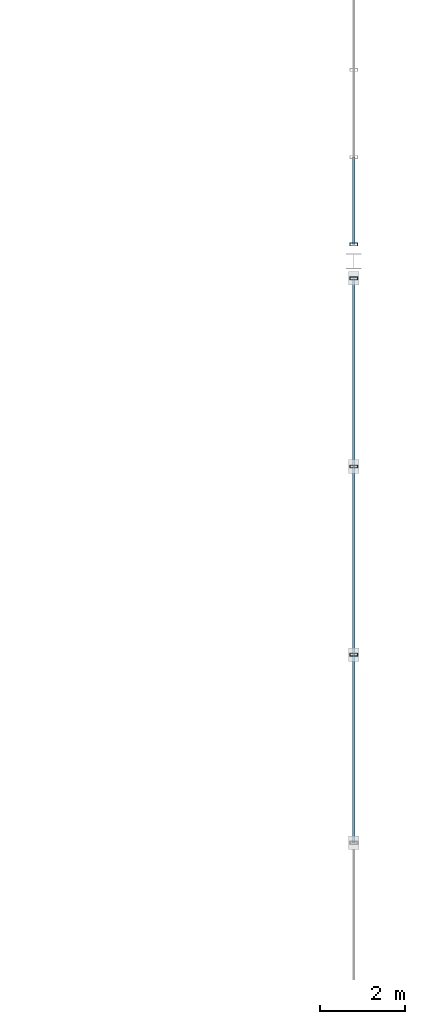
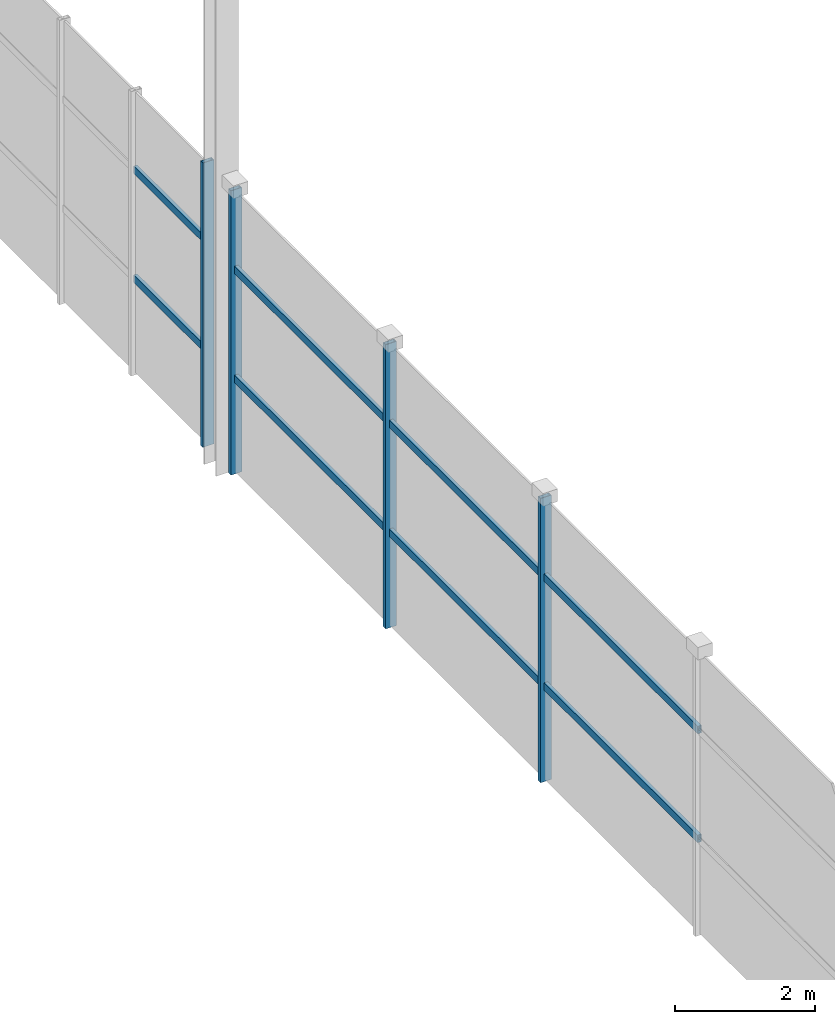
# One storey, part 98 of 148: 12 members, 2 elements without a shape of their own.
"""IFC4 building model written with IfcOpenShell, lengths in metres."""

from ifc_helpers import new_model, si_unit, direction, frame, origin, origin_2d, place, context, subcontext, project, spatial, hollow_rectangle, extrude, material, material_profile, profile_set, type_object, element, aggregate, save


model = new_model("IFC4")

# Units and contexts
model_context = context("Model", 3, precision=1e-05, world=origin(), true_north=direction((0.0, 1.0)))
body_context = subcontext(model_context, "Body", "Model", "MODEL_VIEW")
ifc_project = project(units=[si_unit("LENGTHUNIT", "METRE"), si_unit("AREAUNIT", "SQUARE_METRE"), si_unit("VOLUMEUNIT", "CUBIC_METRE"), si_unit("PLANEANGLEUNIT", "RADIAN"), si_unit("MASSUNIT", "GRAM", prefix="KILO")], contexts=[model_context])

# Site, building, storey
site_placement = place(None, origin())
site = spatial("IfcSite", under=ifc_project, at=site_placement, CompositionType="ELEMENT")
building_placement = place(site_placement, origin())
building = spatial("IfcBuilding", under=site, at=building_placement, Name="Ologun Quay Terminus", CompositionType="ELEMENT")
storey_placement = place(building_placement, frame((0.0, 0.0, 8.39990234375)))
storey = spatial("IfcBuildingStorey", under=building, at=storey_placement, Name="L02", CompositionType="ELEMENT", Elevation=8.39990234375)

# Curtain wall, members
ifc_material_1 = material(Name="Aluminium 6063-T6", Category="aluminium")
curtain_wall_type_1 = type_object("IfcCurtainWallType", Name="Train Shed Gable Center Screen 17500x4900", PredefinedType="USERDEFINED", material=ifc_material_1)
curtain_wall_1_placement = place(storey_placement, origin())
curtain_wall_1 = element("IfcCurtainWall", 1, at=curtain_wall_1_placement, inside=storey, type_object=curtain_wall_type_1, Name="CW-11 Curtain Wall CW-GBL-E2", ObjectType="UNITISED CURTAIN WALL", PredefinedType="USERDEFINED")
ifc_material_2 = material(Name="Aluminium 6063-T6", Category="aluminium")
ifc_material_profile_1 = material_profile(ifc_material_2, hollow_rectangle(XDim=0.070068359375, YDim=0.179931640625, WallThickness=0.0048828125, at=origin_2d()), Name="ALU 180x70x5")
ifc_profile_set_1 = profile_set([ifc_material_profile_1], Name="Aluminium 6063-T6")
member_type_1 = type_object("IfcMemberType", Name="Concourse Clerestory Mullion 180x70", PredefinedType="MULLION", material=ifc_profile_set_1)
member_1_placement = place(storey_placement, frame((184.0, 59.75, 0.14013671875), z_axis=(0.0, 0.0, 1.0), x_axis=(0.0, 1.0, 0.0)))
member_1 = element("IfcMember", 2, at=member_1_placement, type_object=member_type_1, Name="CW-GBL-E2 Mullion 3", PredefinedType="MULLION", context=body_context, shape_type="SweptSolid", body=[
    extrude(hollow_rectangle(XDim=0.070068359375, YDim=0.179931640625, WallThickness=0.0048828125, at=origin_2d()), origin(), (0.0, 0.0, 1.0), 4.9599609375),
])
member_2_placement = place(storey_placement, frame((184.0, 64.175048828125, 0.14013671875), z_axis=(0.0, 0.0, 1.0), x_axis=(0.0, 1.0, 0.0)))
member_2 = element("IfcMember", 3, at=member_2_placement, type_object=member_type_1, Name="CW-GBL-E2 Mullion 4", PredefinedType="MULLION", context=body_context, shape_type="SweptSolid", body=[
    extrude(hollow_rectangle(XDim=0.070068359375, YDim=0.179931640625, WallThickness=0.0048828125, at=origin_2d()), origin(), (0.0, 0.0, 1.0), 4.9599609375),
])
member_3_placement = place(storey_placement, frame((184.0, 68.60009765625, 0.14013671875), z_axis=(0.0, 0.0, 1.0), x_axis=(0.0, 1.0, 0.0)))
member_3 = element("IfcMember", 4, at=member_3_placement, type_object=member_type_1, Name="CW-GBL-E2 Mullion 5", PredefinedType="MULLION", context=body_context, shape_type="SweptSolid", body=[
    extrude(hollow_rectangle(XDim=0.070068359375, YDim=0.179931640625, WallThickness=0.0048828125, at=origin_2d()), origin(), (0.0, 0.0, 1.0), 4.9599609375),
])

# Curtain wall, member
ifc_material_3 = material(Name="Aluminium 6063-T6", Category="aluminium")
curtain_wall_type_2 = type_object("IfcCurtainWallType", Name="Train Shed Gable Arch Screen 13500x4900", PredefinedType="USERDEFINED", material=ifc_material_3)
curtain_wall_2_placement = place(storey_placement, origin())
curtain_wall_2 = element("IfcCurtainWall", 5, at=curtain_wall_2_placement, inside=storey, type_object=curtain_wall_type_2, Name="CW-10 Curtain Wall CW-GBL-E3", ObjectType="UNITISED CURTAIN WALL", PredefinedType="USERDEFINED")
member_4_placement = place(storey_placement, frame((184.0, 69.39990234375, 0.14013671875), z_axis=(0.0, 0.0, 1.0), x_axis=(0.0, 1.0, 0.0)))
member_4 = element("IfcMember", 6, at=member_4_placement, type_object=member_type_1, Name="CW-GBL-E3 Mullion 1", PredefinedType="MULLION", context=body_context, shape_type="SweptSolid", body=[
    extrude(hollow_rectangle(XDim=0.070068359375, YDim=0.179931640625, WallThickness=0.0048828125, at=origin_2d()), origin(), (0.0, 0.0, 1.0), 4.9599609375),
])

# Member
ifc_material_4 = material(Name="Aluminium 6063-T6", Category="aluminium")
ifc_material_profile_2 = material_profile(ifc_material_4, hollow_rectangle(XDim=0.06005859375, YDim=0.1298828125, WallThickness=0.00390625, at=origin_2d()), Name="ALU 130x60x4")
ifc_profile_set_2 = profile_set([ifc_material_profile_2], Name="Aluminium 6063-T6")
member_type_2 = type_object("IfcMemberType", Name="Concourse Clerestory Transom 130x60", PredefinedType="USERDEFINED", material=ifc_profile_set_2)
member_5_placement = place(storey_placement, frame((184.0, 55.324951171875, 1.800048828125), z_axis=(0.0, 1.0, 0.0), x_axis=(-1.0, 0.0, 0.0)))
member_5 = element("IfcMember", 7, at=member_5_placement, type_object=member_type_2, Name="CW-GBL-E2 Transom B2-1", ObjectType="TRANSOM", PredefinedType="USERDEFINED", context=body_context, shape_type="SweptSolid", body=[
    extrude(hollow_rectangle(XDim=0.06005859375, YDim=0.1298828125, WallThickness=0.00390625, at=origin_2d()), origin(), (0.0, 0.0, 1.0), 4.425048828125),
])

member_6_placement = place(storey_placement, frame((184.0, 55.324951171875, 3.7001953125), z_axis=(0.0, 1.0, 0.0), x_axis=(-1.0, 0.0, 0.0)))
member_6 = element("IfcMember", 8, at=member_6_placement, type_object=member_type_2, Name="CW-GBL-E2 Transom B2-2", ObjectType="TRANSOM", PredefinedType="USERDEFINED", context=body_context, shape_type="SweptSolid", body=[
    extrude(hollow_rectangle(XDim=0.06005859375, YDim=0.1298828125, WallThickness=0.00390625, at=origin_2d()), origin(), (0.0, 0.0, 1.0), 4.425048828125),
])

member_7_placement = place(storey_placement, frame((184.0, 59.75, 1.800048828125), z_axis=(0.0, 1.0, 0.0), x_axis=(-1.0, 0.0, 0.0)))
member_7 = element("IfcMember", 9, at=member_7_placement, type_object=member_type_2, Name="CW-GBL-E2 Transom B3-1", ObjectType="TRANSOM", PredefinedType="USERDEFINED", context=body_context, shape_type="SweptSolid", body=[
    extrude(hollow_rectangle(XDim=0.06005859375, YDim=0.1298828125, WallThickness=0.00390625, at=origin_2d()), origin(), (0.0, 0.0, 1.0), 4.425048828125),
])

member_8_placement = place(storey_placement, frame((184.0, 59.75, 3.7001953125), z_axis=(0.0, 1.0, 0.0), x_axis=(-1.0, 0.0, 0.0)))
member_8 = element("IfcMember", 10, at=member_8_placement, type_object=member_type_2, Name="CW-GBL-E2 Transom B3-2", ObjectType="TRANSOM", PredefinedType="USERDEFINED", context=body_context, shape_type="SweptSolid", body=[
    extrude(hollow_rectangle(XDim=0.06005859375, YDim=0.1298828125, WallThickness=0.00390625, at=origin_2d()), origin(), (0.0, 0.0, 1.0), 4.425048828125),
])

member_9_placement = place(storey_placement, frame((184.0, 64.175048828125, 1.800048828125), z_axis=(0.0, 1.0, 0.0), x_axis=(-1.0, 0.0, 0.0)))
member_9 = element("IfcMember", 11, at=member_9_placement, type_object=member_type_2, Name="CW-GBL-E2 Transom B4-1", ObjectType="TRANSOM", PredefinedType="USERDEFINED", context=body_context, shape_type="SweptSolid", body=[
    extrude(hollow_rectangle(XDim=0.06005859375, YDim=0.1298828125, WallThickness=0.00390625, at=origin_2d()), origin(), (0.0, 0.0, 1.0), 4.425048828125),
])

member_10_placement = place(storey_placement, frame((184.0, 64.175048828125, 3.7001953125), z_axis=(0.0, 1.0, 0.0), x_axis=(-1.0, 0.0, 0.0)))
member_10 = element("IfcMember", 12, at=member_10_placement, type_object=member_type_2, Name="CW-GBL-E2 Transom B4-2", ObjectType="TRANSOM", PredefinedType="USERDEFINED", context=body_context, shape_type="SweptSolid", body=[
    extrude(hollow_rectangle(XDim=0.06005859375, YDim=0.1298828125, WallThickness=0.00390625, at=origin_2d()), origin(), (0.0, 0.0, 1.0), 4.425048828125),
])

aggregate(curtain_wall_1, [member_1, member_2, member_3, member_5, member_6, member_7, member_8, member_9, member_10])

member_11_placement = place(storey_placement, frame((184.0, 69.39990234375, 1.800048828125), z_axis=(0.0, 1.0, 0.0), x_axis=(-1.0, 0.0, 0.0)))
member_11 = element("IfcMember", 13, at=member_11_placement, type_object=member_type_2, Name="CW-GBL-E3 Transom B1-1", ObjectType="TRANSOM", PredefinedType="USERDEFINED", context=body_context, shape_type="SweptSolid", body=[
    extrude(hollow_rectangle(XDim=0.06005859375, YDim=0.1298828125, WallThickness=0.00390625, at=origin_2d()), origin(), (0.0, 0.0, 1.0), 2.050048828125),
])

member_12_placement = place(storey_placement, frame((184.0, 69.39990234375, 3.7001953125), z_axis=(0.0, 1.0, 0.0), x_axis=(-1.0, 0.0, 0.0)))
member_12 = element("IfcMember", 14, at=member_12_placement, type_object=member_type_2, Name="CW-GBL-E3 Transom B1-2", ObjectType="TRANSOM", PredefinedType="USERDEFINED", context=body_context, shape_type="SweptSolid", body=[
    extrude(hollow_rectangle(XDim=0.06005859375, YDim=0.1298828125, WallThickness=0.00390625, at=origin_2d()), origin(), (0.0, 0.0, 1.0), 2.050048828125),
])

aggregate(curtain_wall_2, [member_4, member_11, member_12])

save(model, "model.ifc")
